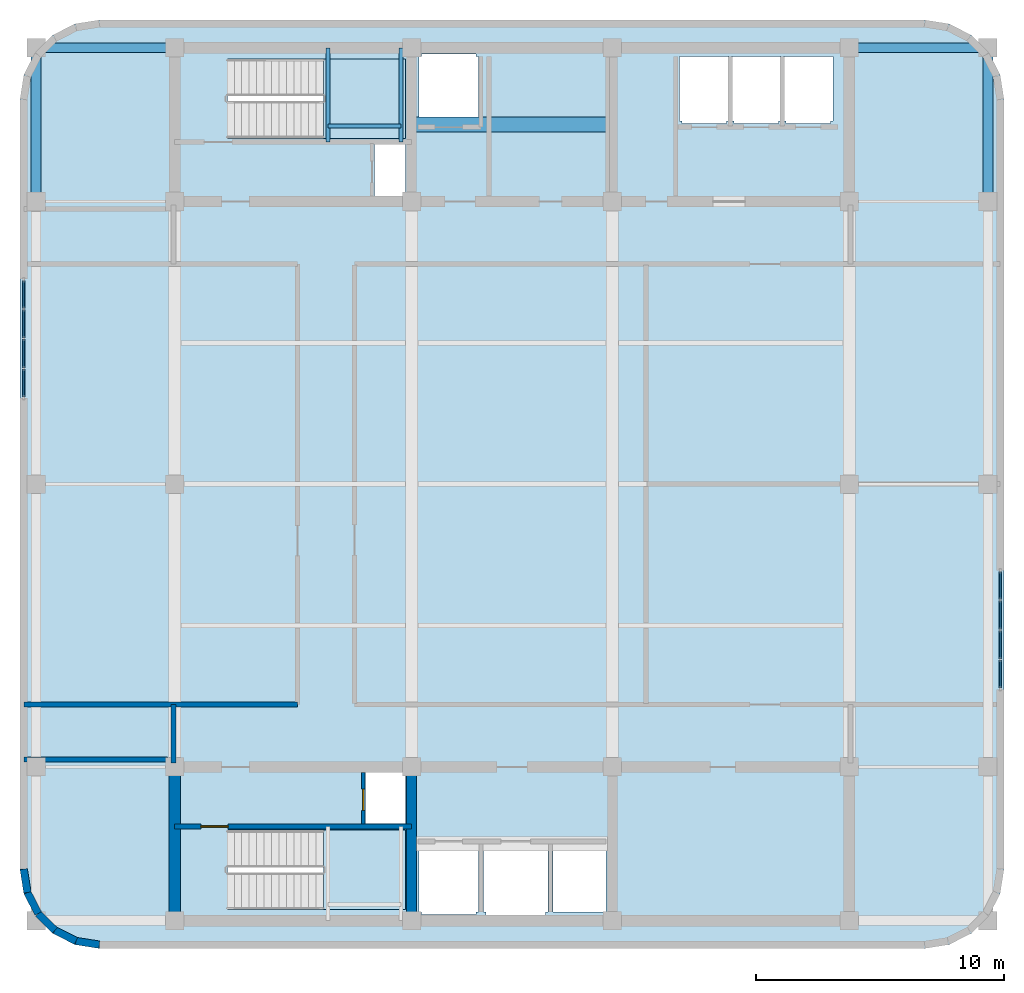
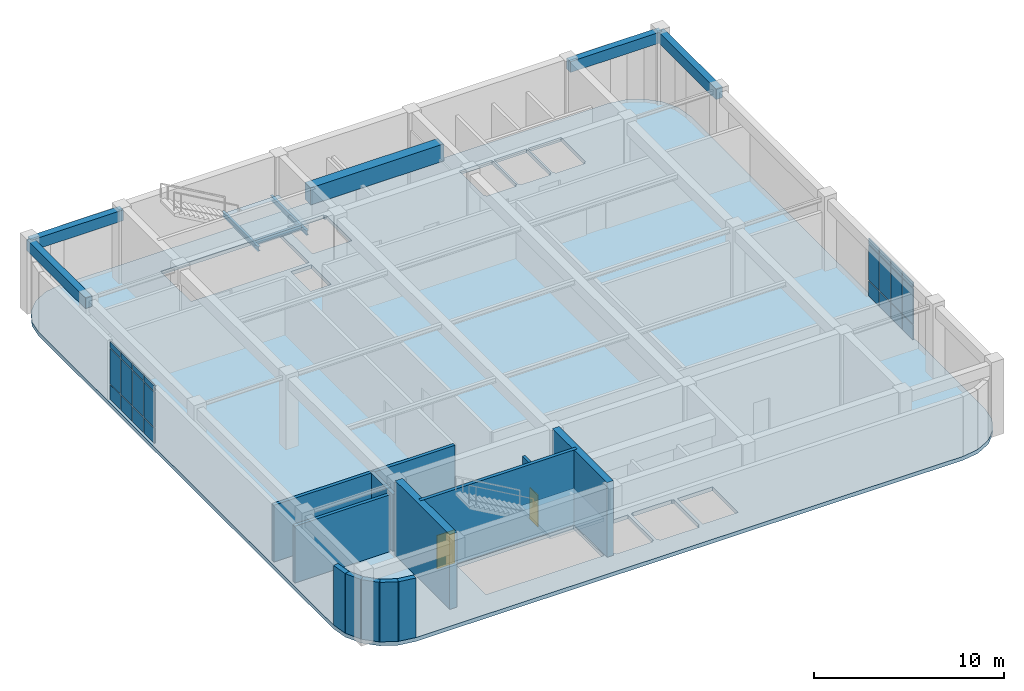
# One storey, part 4 of 7: 24 plates, 12 walls, 8 beams, 3 slabs, 2 doors, 2 openings, 4 elements without a shape of their own.
"""IFC4 building model written with IfcOpenShell, lengths in metres."""

from ifc_helpers import new_model, si_unit, direction, frame, frame_2d, origin, origin_2d, place, context, subcontext, project, spatial, polyline, rectangle, i_section, outline, extrude, material, layer, layer_set, material_profile, profile_set, type_object, element, fill, aggregate, save


model = new_model("IFC4")

# Units and contexts
model_context = context("Model", 3, precision=1e-05, world=origin(), true_north=direction((0.0, 1.0)))
body_context = subcontext(model_context, "Body", "Model", "MODEL_VIEW")
ifc_project = project(units=[si_unit("LENGTHUNIT", "METRE"), si_unit("AREAUNIT", "SQUARE_METRE"), si_unit("VOLUMEUNIT", "CUBIC_METRE"), si_unit("PLANEANGLEUNIT", "RADIAN"), si_unit("MASSUNIT", "GRAM", prefix="KILO")], contexts=[model_context])

# Site, building, storey
site_placement = place(None, origin())
site = spatial("IfcSite", under=ifc_project, at=site_placement, CompositionType="ELEMENT")
building_placement = place(site_placement, origin())
building = spatial("IfcBuilding", under=site, at=building_placement, Name="Svetorya Sky Lyceum", CompositionType="ELEMENT")
storey_placement = place(building_placement, frame((0.0, 0.0, 255.39990234375)))
storey = spatial("IfcBuildingStorey", under=building, at=storey_placement, Name="L64", CompositionType="ELEMENT", Elevation=255.39990234375)

# Beams
ifc_material_1 = material(Name="Concrete C60/75", Category="concrete")
ifc_material_profile_1 = material_profile(ifc_material_1, rectangle(XDim=0.60009765625, YDim=1.10009765625, at=origin_2d()), Name="RC COUPLING 600x1100")
ifc_profile_set_1 = profile_set([ifc_material_profile_1], Name="Concrete C60/75")
beam_type_1 = type_object("IfcBeamType", Name="BM-CPL-1100", PredefinedType="LINTEL", material=ifc_profile_set_1)
beam_1_placement = place(storey_placement, frame((35.14990234375, 42.699951171875, 4.0), z_axis=(1.0, 0.0, 0.0), x_axis=(0.0, 1.0, 0.0)))
element("IfcBeam", 1, at=beam_1_placement, inside=storey, type_object=beam_type_1, Name="L64 NC Core Coupling Beam", PredefinedType="LINTEL", context=body_context, shape_type="SweptSolid", body=[
    extrude(rectangle(XDim=0.60009765625, YDim=1.10009765625, at=origin_2d()), origin(), (0.0, 0.0, 1.0), 8.10009765625),
])
ifc_material_2 = material(Name="Concrete C50/60", Category="concrete")
ifc_material_profile_2 = material_profile(ifc_material_2, rectangle(XDim=0.39990234375, YDim=0.699951171875, at=origin_2d()), Name="RC SPANDREL 400x700")
ifc_profile_set_2 = profile_set([ifc_material_profile_2], Name="Concrete C50/60")
beam_type_2 = type_object("IfcBeamType", Name="BM-SPN-700", PredefinedType="SPANDREL", material=ifc_profile_set_2)
beam_2_placement = place(storey_placement, frame((20.010009765625, 45.800048828125, 4.2001953125), z_axis=(1.0, 0.0, 0.0), x_axis=(0.0, 1.0, 0.0)))
element("IfcBeam", 2, at=beam_2_placement, inside=storey, type_object=beam_type_2, Name="L64 Tie Spandrel NW", PredefinedType="SPANDREL", context=body_context, shape_type="SweptSolid", body=[
    extrude(rectangle(XDim=0.39990234375, YDim=0.699951171875, at=origin_2d()), origin(), (0.0, 0.0, 1.0), 5.590087890625),
])
beam_3_placement = place(storey_placement, frame((52.800048828125, 45.800048828125, 4.2001953125), z_axis=(1.0, 0.0, 0.0), x_axis=(0.0, 1.0, 0.0)))
element("IfcBeam", 3, at=beam_3_placement, inside=storey, type_object=beam_type_2, Name="L64 Tie Spandrel NE", PredefinedType="SPANDREL", context=body_context, shape_type="SweptSolid", body=[
    extrude(rectangle(XDim=0.39990234375, YDim=0.699951171875, at=origin_2d()), origin(), (0.0, 0.0, 1.0), 5.58984375),
])
for number, where, z_axis, x_axis, name in (
    (4, (20.010009765625, 39.60009765625, 4.2001953125), (0.0, 1.0, 0.0), (-1.0, 0.0, 0.0), "L64 West Spandrel 4"),
    (5, (58.389892578125, 39.60009765625, 4.2001953125), (0.0, 1.0, 0.0), (-1.0, 0.0, 0.0), "L64 East Spandrel 4"),
):
    element("IfcBeam", number, at=place(storey_placement, frame(where, z_axis=z_axis, x_axis=x_axis)), inside=storey, type_object=beam_type_2, Name=name, PredefinedType="SPANDREL", context=body_context, shape_type="SweptSolid", body=[
        extrude(rectangle(XDim=0.39990234375, YDim=0.699951171875, at=origin_2d()), origin(), (0.0, 0.0, 1.0), 6.199951171875),
    ])
ifc_material_3 = material(Name="Steel S355", Category="steel")
ifc_material_profile_3 = material_profile(ifc_material_3, i_section(OverallWidth=0.14990234375, OverallDepth=0.299072265625, WebThickness=0.006591796875, FlangeThickness=0.010498046875, at=origin_2d()), Name="GOST 30B2")
ifc_profile_set_3 = profile_set([ifc_material_profile_3], Name="Steel S355")
beam_type_3 = type_object("IfcBeamType", Name="BM-STL-30B2", PredefinedType="JOIST", material=ifc_profile_set_3)
for number, where, z_axis, x_axis, name in (
    (6, (31.780029296875, 42.0, 2.050537109375), (0.0, 1.0, 0.0), (-1.0, 0.0, 0.0), "L64 Stair ST-N Half-Landing Support Beam 72.1"),
    (7, (34.719970703125, 42.0, 2.050537109375), (0.0, 1.0, 0.0), (-1.0, 0.0, 0.0), "L64 Stair ST-N Half-Landing Support Beam 72.2"),
):
    element("IfcBeam", number, at=place(storey_placement, frame(where, z_axis=z_axis, x_axis=x_axis)), inside=storey, type_object=beam_type_3, Name=name, PredefinedType="JOIST", context=body_context, shape_type="SweptSolid", body=[
        extrude(i_section(OverallWidth=0.14990234375, OverallDepth=0.299072265625, WebThickness=0.006591796875, FlangeThickness=0.010498046875, at=origin_2d()), origin(), (0.0, 0.0, 1.0), 3.800048828125),
    ])
beam_4_placement = place(storey_placement, frame((31.780029296875, 42.64990234375, 2.050537109375), z_axis=(1.0, 0.0, 0.0), x_axis=(0.0, 1.0, 0.0)))
element("IfcBeam", 8, at=beam_4_placement, inside=storey, type_object=beam_type_3, Name="L64 Stair ST-N Half-Landing Cross Tie 72", PredefinedType="JOIST", context=body_context, shape_type="SweptSolid", body=[
    extrude(i_section(OverallWidth=0.14990234375, OverallDepth=0.299072265625, WebThickness=0.006591796875, FlangeThickness=0.010498046875, at=origin_2d()), origin(), (0.0, 0.0, 1.0), 2.93994140625),
])

# Curtain wall, plates
ifc_material_4 = material(Name="Thermally broken anodized aluminium and triple low-E glass", Category="aluminium")
curtain_wall_type = type_object("IfcCurtainWallType", Name="CW5-LVR-PLT", PredefinedType="NOTDEFINED", material=ifc_material_4)
curtain_wall_1_placement = place(storey_placement, origin())
curtain_wall_1 = element("IfcCurtainWall", 9, at=curtain_wall_1_placement, inside=storey, type_object=curtain_wall_type, Name="L64 Acoustic Plant Louvre Curtain Wall 12", PredefinedType="NOTDEFINED")
ifc_material_5 = material(Name="Powder-coated extruded aluminium acoustic louvre blade", Category="aluminium")
ifc_layer_1 = layer(ifc_material_5, 0.06494140625)
ifc_layer_set_1 = layer_set([ifc_layer_1], Name="Powder-coated extruded aluminium acoustic louvre blade")
plate_type = type_object("IfcPlateType", Name="CWP-LVR-65", PredefinedType="SHEET", material=ifc_layer_set_1)
plate_1_placement = place(storey_placement, frame((58.889892578125, 20.546142578125, 0.0634765625), z_axis=(0.0, 0.0, 1.0), x_axis=(0.0, 1.0, 0.0)))
plate_1 = element("IfcPlate", 10, at=plate_1_placement, type_object=plate_type, Name="CW-5 panel 1.1", PredefinedType="SHEET", context=body_context, shape_type="SweptSolid", body=[
    extrude(rectangle(XDim=1.10546875, YDim=0.06494140625, at=origin_2d()), origin(), (0.0, 0.0, 1.0), 0.95556640625),
])
plate_2_placement = place(storey_placement, frame((58.889892578125, 20.546142578125, 1.0810546875), z_axis=(0.0, 0.0, 1.0), x_axis=(0.0, 1.0, 0.0)))
plate_2 = element("IfcPlate", 11, at=plate_2_placement, type_object=plate_type, Name="CW-5 panel 1.2", PredefinedType="SHEET", context=body_context, shape_type="SweptSolid", body=[
    extrude(rectangle(XDim=1.10546875, YDim=0.06494140625, at=origin_2d()), origin(), (0.0, 0.0, 1.0), 2.26806640625),
])
plate_3_placement = place(storey_placement, frame((58.889892578125, 20.546142578125, 3.4111328125), z_axis=(0.0, 0.0, 1.0), x_axis=(0.0, 1.0, 0.0)))
plate_3 = element("IfcPlate", 12, at=plate_3_placement, type_object=plate_type, Name="CW-5 panel 1.3", PredefinedType="SHEET", context=body_context, shape_type="SweptSolid", body=[
    extrude(rectangle(XDim=1.10546875, YDim=0.06494140625, at=origin_2d()), origin(), (0.0, 0.0, 1.0), 0.35546875),
])
plate_4_placement = place(storey_placement, frame((58.889892578125, 21.72998046875, 0.0634765625), z_axis=(0.0, 0.0, 1.0), x_axis=(0.0, 1.0, 0.0)))
plate_4 = element("IfcPlate", 13, at=plate_4_placement, type_object=plate_type, Name="CW-5 panel 2.1", PredefinedType="SHEET", context=body_context, shape_type="SweptSolid", body=[
    extrude(rectangle(XDim=1.137939453125, YDim=0.06494140625, at=origin_2d()), origin(), (0.0, 0.0, 1.0), 0.95556640625),
])
plate_5_placement = place(storey_placement, frame((58.889892578125, 21.72998046875, 1.0810546875), z_axis=(0.0, 0.0, 1.0), x_axis=(0.0, 1.0, 0.0)))
plate_5 = element("IfcPlate", 14, at=plate_5_placement, type_object=plate_type, Name="CW-5 panel 2.2", PredefinedType="SHEET", context=body_context, shape_type="SweptSolid", body=[
    extrude(rectangle(XDim=1.137939453125, YDim=0.06494140625, at=origin_2d()), origin(), (0.0, 0.0, 1.0), 2.26806640625),
])
plate_6_placement = place(storey_placement, frame((58.889892578125, 21.72998046875, 3.4111328125), z_axis=(0.0, 0.0, 1.0), x_axis=(0.0, 1.0, 0.0)))
plate_6 = element("IfcPlate", 15, at=plate_6_placement, type_object=plate_type, Name="CW-5 panel 2.3", PredefinedType="SHEET", context=body_context, shape_type="SweptSolid", body=[
    extrude(rectangle(XDim=1.137939453125, YDim=0.06494140625, at=origin_2d()), origin(), (0.0, 0.0, 1.0), 0.35546875),
])
plate_7_placement = place(storey_placement, frame((58.889892578125, 22.929931640625, 0.0634765625), z_axis=(0.0, 0.0, 1.0), x_axis=(0.0, 1.0, 0.0)))
plate_7 = element("IfcPlate", 16, at=plate_7_placement, type_object=plate_type, Name="CW-5 panel 3.1", PredefinedType="SHEET", context=body_context, shape_type="SweptSolid", body=[
    extrude(rectangle(XDim=1.137939453125, YDim=0.06494140625, at=origin_2d()), origin(), (0.0, 0.0, 1.0), 0.95556640625),
])
plate_8_placement = place(storey_placement, frame((58.889892578125, 22.929931640625, 1.0810546875), z_axis=(0.0, 0.0, 1.0), x_axis=(0.0, 1.0, 0.0)))
plate_8 = element("IfcPlate", 17, at=plate_8_placement, type_object=plate_type, Name="CW-5 panel 3.2", PredefinedType="SHEET", context=body_context, shape_type="SweptSolid", body=[
    extrude(rectangle(XDim=1.137939453125, YDim=0.06494140625, at=origin_2d()), origin(), (0.0, 0.0, 1.0), 2.26806640625),
])
plate_9_placement = place(storey_placement, frame((58.889892578125, 22.929931640625, 3.4111328125), z_axis=(0.0, 0.0, 1.0), x_axis=(0.0, 1.0, 0.0)))
plate_9 = element("IfcPlate", 18, at=plate_9_placement, type_object=plate_type, Name="CW-5 panel 3.3", PredefinedType="SHEET", context=body_context, shape_type="SweptSolid", body=[
    extrude(rectangle(XDim=1.137939453125, YDim=0.06494140625, at=origin_2d()), origin(), (0.0, 0.0, 1.0), 0.35546875),
])
plate_10_placement = place(storey_placement, frame((58.889892578125, 24.11376953125, 0.0634765625), z_axis=(0.0, 0.0, 1.0), x_axis=(0.0, 1.0, 0.0)))
plate_10 = element("IfcPlate", 19, at=plate_10_placement, type_object=plate_type, Name="CW-5 panel 4.1", PredefinedType="SHEET", context=body_context, shape_type="SweptSolid", body=[
    extrude(rectangle(XDim=1.10546875, YDim=0.06494140625, at=origin_2d()), origin(), (0.0, 0.0, 1.0), 0.95556640625),
])
plate_11_placement = place(storey_placement, frame((58.889892578125, 24.11376953125, 1.0810546875), z_axis=(0.0, 0.0, 1.0), x_axis=(0.0, 1.0, 0.0)))
plate_11 = element("IfcPlate", 20, at=plate_11_placement, type_object=plate_type, Name="CW-5 panel 4.2", PredefinedType="SHEET", context=body_context, shape_type="SweptSolid", body=[
    extrude(rectangle(XDim=1.10546875, YDim=0.06494140625, at=origin_2d()), origin(), (0.0, 0.0, 1.0), 2.26806640625),
])
plate_12_placement = place(storey_placement, frame((58.889892578125, 24.11376953125, 3.4111328125), z_axis=(0.0, 0.0, 1.0), x_axis=(0.0, 1.0, 0.0)))
plate_12 = element("IfcPlate", 21, at=plate_12_placement, type_object=plate_type, Name="CW-5 panel 4.3", PredefinedType="SHEET", context=body_context, shape_type="SweptSolid", body=[
    extrude(rectangle(XDim=1.10546875, YDim=0.06494140625, at=origin_2d()), origin(), (0.0, 0.0, 1.0), 0.35546875),
])
aggregate(curtain_wall_1, [plate_1, plate_2, plate_3, plate_4, plate_5, plate_6, plate_7, plate_8, plate_9, plate_10, plate_11, plate_12])

curtain_wall_2_placement = place(storey_placement, origin())
curtain_wall_2 = element("IfcCurtainWall", 22, at=curtain_wall_2_placement, inside=storey, type_object=curtain_wall_type, Name="L64 Acoustic Plant Louvre Curtain Wall 24", PredefinedType="NOTDEFINED")
plate_13_placement = place(storey_placement, frame((19.510009765625, 35.853759765625, 0.0634765625), z_axis=(0.0, 0.0, 1.0), x_axis=(0.0, -1.0, 0.0)))
plate_13 = element("IfcPlate", 23, at=plate_13_placement, type_object=plate_type, Name="CW-5 panel 1.1", PredefinedType="SHEET", context=body_context, shape_type="SweptSolid", body=[
    extrude(rectangle(XDim=1.10546875, YDim=0.06494140625, at=origin_2d()), origin(), (0.0, 0.0, 1.0), 0.95556640625),
])
plate_14_placement = place(storey_placement, frame((19.510009765625, 35.853759765625, 1.0810546875), z_axis=(0.0, 0.0, 1.0), x_axis=(0.0, -1.0, 0.0)))
plate_14 = element("IfcPlate", 24, at=plate_14_placement, type_object=plate_type, Name="CW-5 panel 1.2", PredefinedType="SHEET", context=body_context, shape_type="SweptSolid", body=[
    extrude(rectangle(XDim=1.10546875, YDim=0.06494140625, at=origin_2d()), origin(), (0.0, 0.0, 1.0), 2.26806640625),
])
plate_15_placement = place(storey_placement, frame((19.510009765625, 35.853759765625, 3.4111328125), z_axis=(0.0, 0.0, 1.0), x_axis=(0.0, -1.0, 0.0)))
plate_15 = element("IfcPlate", 25, at=plate_15_placement, type_object=plate_type, Name="CW-5 panel 1.3", PredefinedType="SHEET", context=body_context, shape_type="SweptSolid", body=[
    extrude(rectangle(XDim=1.10546875, YDim=0.06494140625, at=origin_2d()), origin(), (0.0, 0.0, 1.0), 0.35546875),
])
plate_16_placement = place(storey_placement, frame((19.510009765625, 34.669921875, 0.0634765625), z_axis=(0.0, 0.0, 1.0), x_axis=(0.0, -1.0, 0.0)))
plate_16 = element("IfcPlate", 26, at=plate_16_placement, type_object=plate_type, Name="CW-5 panel 2.1", PredefinedType="SHEET", context=body_context, shape_type="SweptSolid", body=[
    extrude(rectangle(XDim=1.137939453125, YDim=0.06494140625, at=origin_2d()), origin(), (0.0, 0.0, 1.0), 0.95556640625),
])
plate_17_placement = place(storey_placement, frame((19.510009765625, 34.669921875, 1.0810546875), z_axis=(0.0, 0.0, 1.0), x_axis=(0.0, -1.0, 0.0)))
plate_17 = element("IfcPlate", 27, at=plate_17_placement, type_object=plate_type, Name="CW-5 panel 2.2", PredefinedType="SHEET", context=body_context, shape_type="SweptSolid", body=[
    extrude(rectangle(XDim=1.137939453125, YDim=0.06494140625, at=origin_2d()), origin(), (0.0, 0.0, 1.0), 2.26806640625),
])
plate_18_placement = place(storey_placement, frame((19.510009765625, 34.669921875, 3.4111328125), z_axis=(0.0, 0.0, 1.0), x_axis=(0.0, -1.0, 0.0)))
plate_18 = element("IfcPlate", 28, at=plate_18_placement, type_object=plate_type, Name="CW-5 panel 2.3", PredefinedType="SHEET", context=body_context, shape_type="SweptSolid", body=[
    extrude(rectangle(XDim=1.137939453125, YDim=0.06494140625, at=origin_2d()), origin(), (0.0, 0.0, 1.0), 0.35546875),
])
plate_19_placement = place(storey_placement, frame((19.510009765625, 33.469970703125, 0.0634765625), z_axis=(0.0, 0.0, 1.0), x_axis=(0.0, -1.0, 0.0)))
plate_19 = element("IfcPlate", 29, at=plate_19_placement, type_object=plate_type, Name="CW-5 panel 3.1", PredefinedType="SHEET", context=body_context, shape_type="SweptSolid", body=[
    extrude(rectangle(XDim=1.137939453125, YDim=0.06494140625, at=origin_2d()), origin(), (0.0, 0.0, 1.0), 0.95556640625),
])
plate_20_placement = place(storey_placement, frame((19.510009765625, 33.469970703125, 1.0810546875), z_axis=(0.0, 0.0, 1.0), x_axis=(0.0, -1.0, 0.0)))
plate_20 = element("IfcPlate", 30, at=plate_20_placement, type_object=plate_type, Name="CW-5 panel 3.2", PredefinedType="SHEET", context=body_context, shape_type="SweptSolid", body=[
    extrude(rectangle(XDim=1.137939453125, YDim=0.06494140625, at=origin_2d()), origin(), (0.0, 0.0, 1.0), 2.26806640625),
])
plate_21_placement = place(storey_placement, frame((19.510009765625, 33.469970703125, 3.4111328125), z_axis=(0.0, 0.0, 1.0), x_axis=(0.0, -1.0, 0.0)))
plate_21 = element("IfcPlate", 31, at=plate_21_placement, type_object=plate_type, Name="CW-5 panel 3.3", PredefinedType="SHEET", context=body_context, shape_type="SweptSolid", body=[
    extrude(rectangle(XDim=1.137939453125, YDim=0.06494140625, at=origin_2d()), origin(), (0.0, 0.0, 1.0), 0.35546875),
])
plate_22_placement = place(storey_placement, frame((19.510009765625, 32.2861328125, 0.0634765625), z_axis=(0.0, 0.0, 1.0), x_axis=(0.0, -1.0, 0.0)))
plate_22 = element("IfcPlate", 32, at=plate_22_placement, type_object=plate_type, Name="CW-5 panel 4.1", PredefinedType="SHEET", context=body_context, shape_type="SweptSolid", body=[
    extrude(rectangle(XDim=1.10546875, YDim=0.06494140625, at=origin_2d()), origin(), (0.0, 0.0, 1.0), 0.95556640625),
])
plate_23_placement = place(storey_placement, frame((19.510009765625, 32.2861328125, 1.0810546875), z_axis=(0.0, 0.0, 1.0), x_axis=(0.0, -1.0, 0.0)))
plate_23 = element("IfcPlate", 33, at=plate_23_placement, type_object=plate_type, Name="CW-5 panel 4.2", PredefinedType="SHEET", context=body_context, shape_type="SweptSolid", body=[
    extrude(rectangle(XDim=1.10546875, YDim=0.06494140625, at=origin_2d()), origin(), (0.0, 0.0, 1.0), 2.26806640625),
])
plate_24_placement = place(storey_placement, frame((19.510009765625, 32.2861328125, 3.4111328125), z_axis=(0.0, 0.0, 1.0), x_axis=(0.0, -1.0, 0.0)))
plate_24 = element("IfcPlate", 34, at=plate_24_placement, type_object=plate_type, Name="CW-5 panel 4.3", PredefinedType="SHEET", context=body_context, shape_type="SweptSolid", body=[
    extrude(rectangle(XDim=1.10546875, YDim=0.06494140625, at=origin_2d()), origin(), (0.0, 0.0, 1.0), 0.35546875),
])
aggregate(curtain_wall_2, [plate_13, plate_14, plate_15, plate_16, plate_17, plate_18, plate_19, plate_20, plate_21, plate_22, plate_23, plate_24])

# Stair, slab
ifc_material_6 = material(Name="Concrete C40/50", Category="concrete")
stair_type_1 = type_object("IfcStairType", Name="STR-ST-S", PredefinedType="HALF_TURN_STAIR", material=ifc_material_6)
stair_1_placement = place(storey_placement, origin())
stair_1 = element("IfcStair", 35, at=stair_1_placement, inside=storey, type_object=stair_type_1, Name="L64 South Core Smoke-Free Exit Stair N2", PredefinedType="HALF_TURN_STAIR")
ifc_layer_2 = layer(ifc_material_6, 0.199951171875)
ifc_layer_set_2 = layer_set([ifc_layer_2], Name="Concrete C40/50")
slab_type_1 = type_object("IfcSlabType", Name="SL-STR-LAND-200", PredefinedType="LANDING", material=ifc_layer_set_2)
slab_1_placement = place(storey_placement, frame((0.0, 0.0, 2.2001953125)))
slab_1 = element("IfcSlab", 36, at=slab_1_placement, type_object=slab_type_1, Name="ST-S landing 1", PredefinedType="LANDING", context=body_context, shape_type="SweptSolid", body=[
    extrude(outline(polyline([(31.60009765625, 11.050048828125), (34.89990234375, 11.050048828125), (34.89990234375, 14.25), (31.60009765625, 14.25), (31.60009765625, 11.050048828125)])), origin(), (0.0, 0.0, 1.0), 0.199951171875),
])
aggregate(stair_1, [slab_1])

stair_type_2 = type_object("IfcStairType", Name="STR-ST-N", PredefinedType="HALF_TURN_STAIR", material=ifc_material_6)
stair_2_placement = place(storey_placement, origin())
stair_2 = element("IfcStair", 37, at=stair_2_placement, inside=storey, type_object=stair_type_2, Name="L64 North Core Smoke-Free Exit Stair N3", PredefinedType="HALF_TURN_STAIR")
slab_2_placement = place(storey_placement, frame((0.0, 0.0, 2.2001953125)))
slab_2 = element("IfcSlab", 38, at=slab_2_placement, type_object=slab_type_1, Name="ST-N landing 1", PredefinedType="LANDING", context=body_context, shape_type="SweptSolid", body=[
    extrude(outline(polyline([(31.60009765625, 42.14990234375), (34.89990234375, 42.14990234375), (34.89990234375, 45.35009765625), (31.60009765625, 45.35009765625), (31.60009765625, 42.14990234375)])), origin(), (0.0, 0.0, 1.0), 0.199951171875),
])
aggregate(stair_2, [slab_2])

# Slab
ifc_layer_3 = layer(ifc_material_6, 0.25)
ifc_layer_set_3 = layer_set([ifc_layer_3], Name="Concrete C40/50")
slab_type_2 = type_object("IfcSlabType", Name="SL-TWR-250", PredefinedType="FLOOR", material=ifc_layer_set_3)
slab_3_placement = place(storey_placement, frame((0.0, 0.0, -0.25)))
element("IfcSlab", 39, at=slab_3_placement, inside=storey, type_object=slab_type_2, Name="L64 Structural Floor Slab", PredefinedType="FLOOR", context=body_context, shape_type="SweptSolid", body=[
    extrude(outline(polyline([(19.360107421875, 12.679931640625), (19.5166015625, 11.691162109375), (19.97119140625, 10.799072265625), (20.67919921875, 10.091064453125), (21.571044921875, 9.63671875), (22.56005859375, 9.47998046875), (55.840087890625, 9.47998046875), (56.828857421875, 9.63671875), (57.720947265625, 10.091064453125), (58.428955078125, 10.799072265625), (58.88330078125, 11.691162109375), (59.0400390625, 12.679931640625), (59.0400390625, 43.719970703125), (58.88330078125, 44.708984375), (58.428955078125, 45.600830078125), (57.720947265625, 46.308837890625), (56.828857421875, 46.763427734375), (55.840087890625, 46.919921875), (22.56005859375, 46.919921875), (21.571044921875, 46.763427734375), (20.67919921875, 46.308837890625), (19.97119140625, 45.600830078125), (19.5166015625, 44.708984375), (19.360107421875, 43.719970703125), (19.360107421875, 12.679931640625)]), holes=[polyline([(37.85009765625, 10.949951171875), (37.75, 10.949951171875), (37.75, 10.85009765625), (35.550048828125, 10.85009765625), (35.550048828125, 10.949951171875), (35.449951171875, 10.949951171875), (35.449951171875, 13.64990234375), (35.550048828125, 13.64990234375), (37.75, 13.64990234375), (37.85009765625, 13.64990234375), (37.85009765625, 10.949951171875)]), polyline([(38.14990234375, 10.800048828125), (38.14990234375, 10.949951171875), (38.050048828125, 10.949951171875), (38.050048828125, 13.64990234375), (38.14990234375, 13.64990234375), (38.14990234375, 13.699951171875), (40.550048828125, 13.699951171875), (40.550048828125, 13.64990234375), (40.64990234375, 13.64990234375), (40.64990234375, 10.949951171875), (40.550048828125, 10.949951171875), (40.550048828125, 10.800048828125), (38.14990234375, 10.800048828125)]), polyline([(27.719970703125, 11.050048828125), (27.719970703125, 14.25), (34.89990234375, 14.25), (34.89990234375, 11.050048828125), (27.719970703125, 11.050048828125)]), polyline([(33.300048828125, 14.52001953125), (33.300048828125, 16.580078125), (34.89990234375, 16.580078125), (34.89990234375, 14.52001953125), (33.300048828125, 14.52001953125)]), polyline([(33.64990234375, 39.820068359375), (33.64990234375, 41.89990234375), (34.89990234375, 41.89990234375), (34.89990234375, 39.820068359375), (33.64990234375, 39.820068359375)]), polyline([(27.719970703125, 42.14990234375), (27.719970703125, 45.35009765625), (34.89990234375, 45.35009765625), (34.89990234375, 42.14990234375), (27.719970703125, 42.14990234375)]), polyline([(37.75, 42.75), (35.550048828125, 42.75), (35.449951171875, 42.75), (35.449951171875, 45.449951171875), (35.550048828125, 45.449951171875), (35.550048828125, 45.550048828125), (37.75, 45.550048828125), (37.75, 45.449951171875), (37.85009765625, 45.449951171875), (37.85009765625, 42.75), (37.75, 42.75)]), polyline([(40.85009765625, 10.949951171875), (40.85009765625, 13.64990234375), (43.0, 13.64990234375), (43.0, 10.949951171875), (40.85009765625, 10.949951171875)]), polyline([(46.050048828125, 42.75), (46.050048828125, 42.85009765625), (45.949951171875, 42.85009765625), (45.949951171875, 45.449951171875), (46.050048828125, 45.449951171875), (47.85009765625, 45.449951171875), (47.949951171875, 45.449951171875), (47.949951171875, 42.85009765625), (47.85009765625, 42.85009765625), (47.85009765625, 42.75), (46.050048828125, 42.75)]), polyline([(50.050048828125, 42.85009765625), (49.949951171875, 42.85009765625), (49.949951171875, 42.75), (48.14990234375, 42.75), (48.14990234375, 42.85009765625), (48.050048828125, 42.85009765625), (48.050048828125, 45.449951171875), (48.14990234375, 45.449951171875), (49.949951171875, 45.449951171875), (50.050048828125, 45.449951171875), (50.050048828125, 42.85009765625)]), polyline([(52.14990234375, 42.85009765625), (52.050048828125, 42.85009765625), (52.050048828125, 42.75), (50.25, 42.75), (50.25, 42.85009765625), (50.14990234375, 42.85009765625), (50.14990234375, 45.449951171875), (50.25, 45.449951171875), (52.050048828125, 45.449951171875), (52.14990234375, 45.449951171875), (52.14990234375, 42.85009765625)])]), origin(), (0.0, 0.0, 1.0), 0.25),
])

# Walls
ifc_layer_4 = layer(ifc_material_6, 0.39990234375)
ifc_layer_set_4 = layer_set([ifc_layer_4], Name="Concrete C40/50")
wall_type_1 = type_object("IfcWallType", Name="WL-CORE-400", PredefinedType="SHEAR", material=ifc_layer_set_4)
wall_1_placement = place(storey_placement, frame((35.14990234375, 10.824951171875, 0.0), z_axis=(0.0, 0.0, 1.0), x_axis=(0.0, 1.0, 0.0)))
element("IfcWall", 40, at=wall_1_placement, inside=storey, type_object=wall_type_1, Name="L64 SC Internal Shear Web WEB1", PredefinedType="SHEAR", context=body_context, shape_type="SweptSolid", body=[
    extrude(rectangle(XDim=5.75, YDim=0.39990234375, at=frame_2d((2.875, 0.0))), origin(), (0.0, 0.0, 1.0), 4.800048828125),
])
ifc_layer_5 = layer(ifc_material_2, 0.449951171875)
ifc_layer_set_5 = layer_set([ifc_layer_5], Name="Concrete C50/60")
wall_type_2 = type_object("IfcWallType", Name="WL-CORE-450", PredefinedType="SHEAR", material=ifc_layer_set_5)
wall_2_placement = place(storey_placement, frame((25.60009765625, 10.824951171875, 0.0), z_axis=(0.0, 0.0, 1.0), x_axis=(0.0, 1.0, 0.0)))
element("IfcWall", 41, at=wall_2_placement, inside=storey, type_object=wall_type_2, Name="L64 SC West Core Shear Wall", PredefinedType="SHEAR", context=body_context, shape_type="SweptSolid", body=[
    extrude(rectangle(XDim=5.75, YDim=0.449951171875, at=frame_2d((2.875, 0.0))), origin(), (0.0, 0.0, 1.0), 4.800048828125),
])
ifc_material_7 = material(Name="Putilovo limestone rainscreen on autoclaved cellular masonry", Category="masonry")
ifc_layer_6 = layer(ifc_material_7, 0.300048828125)
ifc_layer_set_6 = layer_set([ifc_layer_6], Name="Putilovo limestone rainscreen on autoclaved cellular masonry")
wall_type_3 = type_object("IfcWallType", Name="WL-EXT-300", PredefinedType="SOLIDWALL", material=ifc_layer_set_6)
wall_3_placement = place(storey_placement, frame((19.510009765625, 12.679931640625, 0.0), z_axis=(0.0, 0.0, 1.0), x_axis=(0.156343617883, -0.987702725088, 0.0)))
element("IfcWall", 42, at=wall_3_placement, inside=storey, type_object=wall_type_3, Name="L64 Limestone Exterior Wall 1M", PredefinedType="SOLIDWALL", context=body_context, shape_type="SweptSolid", body=[
    extrude(rectangle(XDim=0.9541015625, YDim=0.300048828125, at=frame_2d((0.47705078125, 0.0))), origin(), (0.0, 0.0, 1.0), 3.830078125),
])
for number, where, z_axis, x_axis, name in (
    (43, (19.6591796875, 11.737548828125, 0.0), (0.0, 0.0, 1.0), (0.454056065666, -0.890973113642, 0.0), "L64 Limestone Exterior Wall 2M"),
    (44, (20.092529296875, 10.88720703125, 0.0), (0.0, 0.0, 1.0), (0.707106781187, -0.707106781187, 0.0), "L64 Limestone Exterior Wall 3M"),
):
    element("IfcWall", number, at=place(storey_placement, frame(where, z_axis=z_axis, x_axis=x_axis)), inside=storey, type_object=wall_type_3, Name=name, PredefinedType="SOLIDWALL", context=body_context, shape_type="SweptSolid", body=[
        extrude(rectangle(XDim=0.954345703125, YDim=0.300048828125, at=frame_2d((0.47705078125, 0.0))), origin(), (0.0, 0.0, 1.0), 3.830078125),
    ])
wall_4_placement = place(storey_placement, frame((20.767333984375, 10.21240234375, 0.0), z_axis=(0.0, 0.0, 1.0), x_axis=(0.891023873617, -0.45395644796, 0.0)))
element("IfcWall", 45, at=wall_4_placement, inside=storey, type_object=wall_type_3, Name="L64 Limestone Exterior Wall 4M", PredefinedType="SOLIDWALL", context=body_context, shape_type="SweptSolid", body=[
    extrude(rectangle(XDim=0.9541015625, YDim=0.300048828125, at=frame_2d((0.47705078125, 0.0))), origin(), (0.0, 0.0, 1.0), 3.830078125),
])
wall_5_placement = place(storey_placement, frame((21.617431640625, 9.779296875, 0.0), z_axis=(0.0, 0.0, 1.0), x_axis=(0.987669453596, -0.156553666304, 0.0)))
element("IfcWall", 46, at=wall_5_placement, inside=storey, type_object=wall_type_3, Name="L64 Limestone Exterior Wall 5M", PredefinedType="SOLIDWALL", context=body_context, shape_type="SweptSolid", body=[
    extrude(rectangle(XDim=0.954345703125, YDim=0.300048828125, at=frame_2d((0.47705078125, 0.0))), origin(), (0.0, 0.0, 1.0), 3.830078125),
])

# Wall, opening, door
ifc_material_8 = material(Name="Autoclaved cellular masonry blockwork with acoustic render", Category="masonry")
ifc_layer_7 = layer(ifc_material_8, 0.14990234375)
ifc_layer_set_7 = layer_set([ifc_layer_7], Name="Autoclaved cellular masonry blockwork with acoustic render")
wall_type_4 = type_object("IfcWallType", Name="WL-PART-150", PredefinedType="PARTITIONING", material=ifc_layer_set_7)
wall_6_placement = place(storey_placement, frame((33.199951171875, 14.5, 0.0), z_axis=(0.0, 0.0, 1.0), x_axis=(0.0, 1.0, 0.0)))
wall_6 = element("IfcWall", 47, at=wall_6_placement, inside=storey, type_object=wall_type_4, Name="L64 Interior Partition SC-AIRDIV", PredefinedType="PARTITIONING", context=body_context, shape_type="SweptSolid", body=[
    extrude(rectangle(XDim=2.080078125, YDim=0.14990234375, at=frame_2d((1.0400390625, 0.0))), origin(), (0.0, 0.0, 1.0), 3.66015625),
])
opening_1_placement = place(wall_6_placement, frame((0.550048828125, 0.0, 0.0)))
opening_1 = element("IfcOpeningElement", 48, at=opening_1_placement, cuts=wall_6, Name="Opening D-SH1", PredefinedType="OPENING", context=body_context, shape_type="SweptSolid", body=[
    extrude(rectangle(XDim=0.85009765625, YDim=2.050048828125, at=frame_2d((0.425048828125, 1.02490234375))), frame((0.0, 0.0849609375, 0.0), z_axis=(0.0, -1.0, 0.0), x_axis=(1.0, 0.0, 0.0)), (0.0, 0.0, 1.0), 0.169921875),
])
ifc_material_9 = material(Name="Insulated galvanized riser inspection fire door")
door_type_1 = type_object("IfcDoorType", Name="DR-SHFT-850", OperationType="SINGLE_SWING_LEFT", PredefinedType="TRAPDOOR", material=ifc_material_9)
door_1_placement = place(opening_1_placement, origin())
door_1 = element("IfcDoor", 49, at=door_1_placement, inside=storey, type_object=door_type_1, Name="L64 South Riser Access Door", OperationType="SINGLE_SWING_RIGHT", OverallHeight=2.050048828125, OverallWidth=0.85009765625, PredefinedType="TRAPDOOR", context=body_context, shape_type="SweptSolid", body=[
    extrude(rectangle(XDim=0.85009765625, YDim=2.050048828125, at=frame_2d((0.425048828125, 1.02490234375))), frame((0.0, 0.02490234375, 0.0), z_axis=(0.0, -1.0, 0.0), x_axis=(1.0, 0.0, 0.0)), (0.0, 0.0, 1.0), 0.050048828125),
])
fill(opening_1, door_1)

# Walls
ifc_material_10 = material(Name="Autoclaved cellular masonry blockwork with gypsum plaster", Category="masonry")
ifc_layer_8 = layer(ifc_material_10, 0.199951171875)
ifc_layer_set_8 = layer_set([ifc_layer_8], Name="Autoclaved cellular masonry blockwork with gypsum plaster")
wall_type_5 = type_object("IfcWallType", Name="WL-PART-200", PredefinedType="PARTITIONING", material=ifc_layer_set_8)
wall_7_placement = place(storey_placement, frame((19.530029296875, 19.320068359375, 0.0), z_axis=(0.0, 0.0, 1.0), x_axis=(1.0, 0.0, 0.0)))
element("IfcWall", 50, at=wall_7_placement, inside=storey, type_object=wall_type_5, Name="L64 Interior Partition PL-SW", PredefinedType="PARTITIONING", context=body_context, shape_type="SweptSolid", body=[
    extrude(rectangle(XDim=11.02001953125, YDim=0.199951171875, at=frame_2d((5.510009765625, 0.0))), origin(), (0.0, 0.0, 1.0), 3.66015625),
])
wall_8_placement = place(storey_placement, frame((25.550048828125, 16.949951171875, 0.0), z_axis=(0.0, 0.0, 1.0), x_axis=(0.0, 1.0, 0.0)))
element("IfcWall", 51, at=wall_8_placement, inside=storey, type_object=wall_type_5, Name="L64 Interior Partition PL-SW-END", PredefinedType="PARTITIONING", context=body_context, shape_type="SweptSolid", body=[
    extrude(rectangle(XDim=2.3701171875, YDim=0.199951171875, at=frame_2d((1.18505859375, 0.0))), origin(), (0.0, 0.0, 1.0), 3.66015625),
])
wall_9_placement = place(storey_placement, frame((19.530029296875, 17.10009765625, 0.0), z_axis=(0.0, 0.0, 1.0), x_axis=(1.0, 0.0, 0.0)))
element("IfcWall", 52, at=wall_9_placement, inside=storey, type_object=wall_type_5, Name="L64 Interior Partition PL-WS-CAP", PredefinedType="PARTITIONING", context=body_context, shape_type="SweptSolid", body=[
    extrude(rectangle(XDim=5.77001953125, YDim=0.199951171875, at=frame_2d((2.885009765625, 0.0))), origin(), (0.0, 0.0, 1.0), 3.66015625),
])

# Wall, opening, door
ifc_layer_9 = layer(ifc_material_2, 0.199951171875)
ifc_layer_set_9 = layer_set([ifc_layer_9], Name="Concrete C50/60")
wall_type_6 = type_object("IfcWallType", Name="WL-SHW-200", PredefinedType="SHEAR", material=ifc_layer_set_9)
wall_10_placement = place(storey_placement, frame((25.60009765625, 14.39990234375, 0.0), z_axis=(0.0, 0.0, 1.0), x_axis=(1.0, 0.0, 0.0)))
wall_10 = element("IfcWall", 53, at=wall_10_placement, inside=storey, type_object=wall_type_6, Name="L64 Structural Stair Shaft Wall SC-STW", PredefinedType="SHEAR", context=body_context, shape_type="SweptSolid", body=[
    extrude(rectangle(XDim=9.5498046875, YDim=0.199951171875, at=frame_2d((4.77490234375, 0.0))), origin(), (0.0, 0.0, 1.0), 4.800048828125),
])
opening_2_placement = place(wall_10_placement, frame((1.050048828125, 0.0, 0.0)))
opening_2 = element("IfcOpeningElement", 54, at=opening_2_placement, cuts=wall_10, Name="Opening D-ST1", PredefinedType="OPENING", context=body_context, shape_type="SweptSolid", body=[
    extrude(rectangle(XDim=1.10009765625, YDim=2.14990234375, at=frame_2d((0.550048828125, 1.074951171875))), frame((0.0, 0.10986328125, 0.0), z_axis=(0.0, -1.0, 0.0), x_axis=(1.0, 0.0, 0.0)), (0.0, 0.0, 1.0), 0.219970703125),
])
ifc_material_11 = material(Name="Powder-coated insulated galvanized stair fire door")
door_type_2 = type_object("IfcDoorType", Name="DR-FIRE-1100", OperationType="SINGLE_SWING_LEFT", PredefinedType="DOOR", material=ifc_material_11)
door_2_placement = place(opening_2_placement, origin())
door_2 = element("IfcDoor", 55, at=door_2_placement, inside=storey, type_object=door_type_2, Name="L64 Stair ST-S Vestibule Fire Door", OperationType="SINGLE_SWING_LEFT", OverallHeight=2.14990234375, OverallWidth=1.10009765625, PredefinedType="DOOR", context=body_context, shape_type="SweptSolid", body=[
    extrude(rectangle(XDim=1.10009765625, YDim=2.14990234375, at=frame_2d((0.550048828125, 1.074951171875))), frame((0.0, 0.02490234375, 0.0), z_axis=(0.0, -1.0, 0.0), x_axis=(1.0, 0.0, 0.0)), (0.0, 0.0, 1.0), 0.050048828125),
])
fill(opening_2, door_2)

save(model, "model.ifc")
